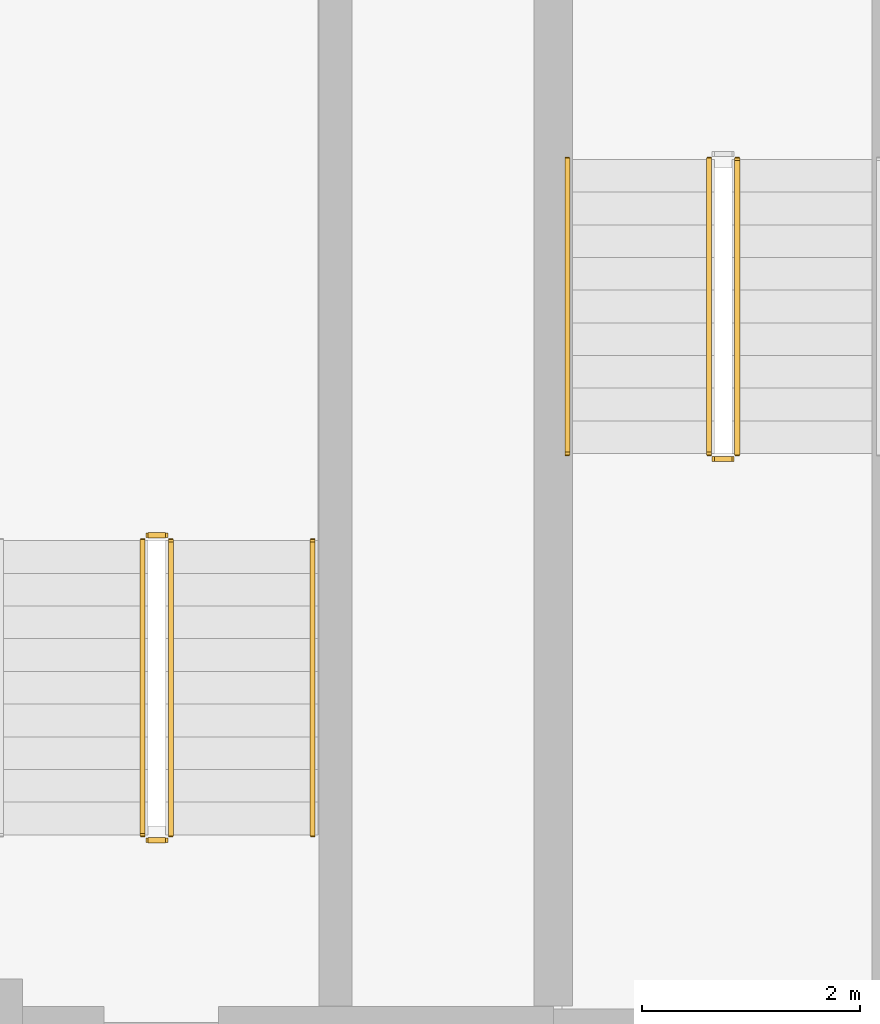
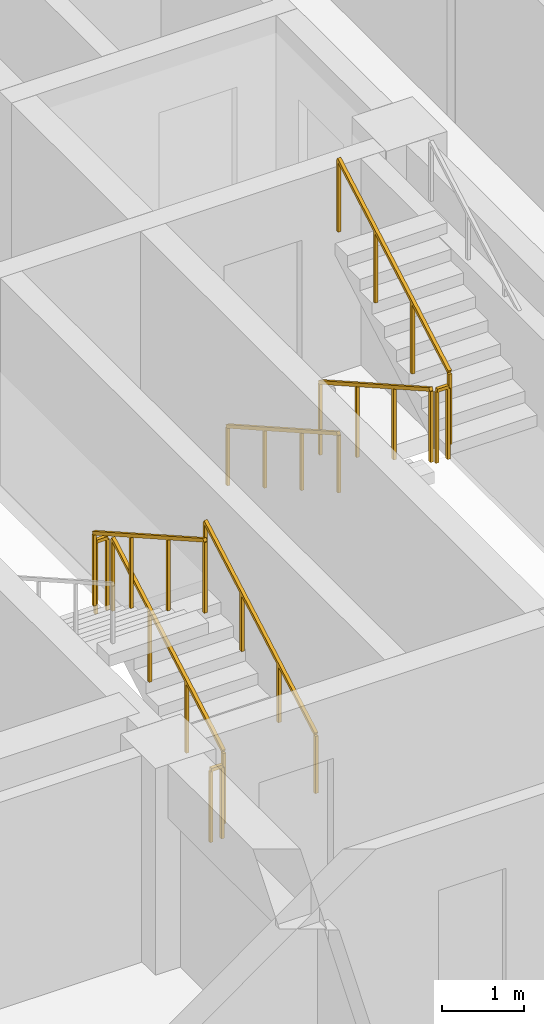
# One storey, part 9 of 14: 9 railings.
"""IFC4 building model written with IfcOpenShell, lengths in metres."""

from ifc_helpers import new_model, si_unit, direction, frame, origin, origin_2d, place, context, subcontext, project, spatial, rectangle, extrude, material, type_object, element, save


model = new_model("IFC4")

# Units and contexts
model_context = context("Model", 3, precision=1e-05, world=origin(), true_north=direction((0.0, 1.0)))
body_context = subcontext(model_context, "Body", "Model", "MODEL_VIEW")
ifc_project = project(units=[si_unit("LENGTHUNIT", "METRE"), si_unit("AREAUNIT", "SQUARE_METRE"), si_unit("VOLUMEUNIT", "CUBIC_METRE"), si_unit("PLANEANGLEUNIT", "RADIAN"), si_unit("MASSUNIT", "GRAM", prefix="KILO")], contexts=[model_context])

# Site, building, storey
site_placement = place(None, origin())
site = spatial("IfcSite", under=ifc_project, at=site_placement, CompositionType="ELEMENT")
building_placement = place(site_placement, origin())
building = spatial("IfcBuilding", under=site, at=building_placement, Name="Zulmaris Gate Convention Tower", CompositionType="ELEMENT")
storey_placement = place(building_placement, frame((0.0, 0.0, 208.4599609375)))
storey = spatial("IfcBuildingStorey", under=building, at=storey_placement, Name="L54", CompositionType="ELEMENT", Elevation=208.4599609375)

# Railings
ifc_material_1 = material(Name="Painted Galvanised Steel", Category="steel")
railing_type_1 = type_object("IfcRailingType", Name="RL-STG-1150", PredefinedType="GUARDRAIL", material=ifc_material_1)
railing_1_placement = place(storey_placement, frame((-13.27001953125, -2.0, 0.169921875)))
element("IfcRailing", 1, at=railing_1_placement, inside=storey, type_object=railing_type_1, Name="L54 ST-1 stair guard 1", PredefinedType="GUARDRAIL", context=body_context, shape_type="SweptSolid", body=[
    extrude(rectangle(XDim=0.048095703125, YDim=0.048095703125, at=origin_2d()), frame((0.0, 0.0, 1.076171875), z_axis=(0.0, -0.870014312096, 0.49302646658), x_axis=(1.0, 0.0, 0.0)), (0.0, 0.0, 1.0), 3.103271484375),
    extrude(rectangle(XDim=0.0419921875, YDim=0.0419921875, at=origin_2d()), origin(), (0.0, 0.0, 1.0), 1.052001953125),
    extrude(rectangle(XDim=0.0419921875, YDim=0.0419921875, at=origin_2d()), frame((0.0, -0.89990234375, 0.510009765625)), (0.0, 0.0, 1.0), 1.052001953125),
    extrude(rectangle(XDim=0.0419921875, YDim=0.0419921875, at=origin_2d()), frame((0.0, -1.800048828125, 1.02001953125)), (0.0, 0.0, 1.0), 1.052001953125),
    extrude(rectangle(XDim=0.0419921875, YDim=0.0419921875, at=origin_2d()), frame((0.0, -2.699951171875, 1.530029296875)), (0.0, 0.0, 1.0), 1.052001953125),
])
railing_2_placement = place(storey_placement, frame((-13.219970703125, -4.75, 1.699951171875)))
element("IfcRailing", 2, at=railing_2_placement, inside=storey, type_object=railing_type_1, Name="L54 ST-1 stair guard 2", PredefinedType="GUARDRAIL", context=body_context, shape_type="SweptSolid", body=[
    extrude(rectangle(XDim=0.048095703125, YDim=0.048095703125, at=origin_2d()), frame((0.0, 0.0, 1.076171875), z_axis=(1.0, 0.0, 0.0), x_axis=(0.0, 1.0, 0.0)), (0.0, 0.0, 1.0), 0.159912109375),
    extrude(rectangle(XDim=0.0419921875, YDim=0.0419921875, at=origin_2d()), origin(), (0.0, 0.0, 1.0), 1.052001953125),
    extrude(rectangle(XDim=0.0419921875, YDim=0.0419921875, at=origin_2d()), frame((0.159912109375, 0.0, 0.0)), (0.0, 0.0, 1.0), 1.052001953125),
])
for number, where, name in (
    (3, (-13.010009765625, -4.699951171875, 1.869873046875), "L54 ST-1 stair guard 3"),
    (4, (-18.2099609375, -8.199951171875, 0.169921875), "L54 ST-3 stair guard 1"),
):
    element("IfcRailing", number, at=place(storey_placement, frame(where)), inside=storey, type_object=railing_type_1, Name=name, PredefinedType="GUARDRAIL", context=body_context, shape_type="SweptSolid", body=[
        extrude(rectangle(XDim=0.048095703125, YDim=0.048095703125, at=origin_2d()), frame((0.0, 0.0, 1.076171875), z_axis=(0.0, 0.870014312096, 0.49302646658), x_axis=(-1.0, 0.0, 0.0)), (0.0, 0.0, 1.0), 3.103271484375),
        extrude(rectangle(XDim=0.0419921875, YDim=0.0419921875, at=origin_2d()), origin(), (0.0, 0.0, 1.0), 1.052001953125),
        extrude(rectangle(XDim=0.0419921875, YDim=0.0419921875, at=origin_2d()), frame((0.0, 0.89990234375, 0.510009765625)), (0.0, 0.0, 1.0), 1.052001953125),
        extrude(rectangle(XDim=0.0419921875, YDim=0.0419921875, at=origin_2d()), frame((0.0, 1.800048828125, 1.02001953125)), (0.0, 0.0, 1.0), 1.052001953125),
        extrude(rectangle(XDim=0.0419921875, YDim=0.0419921875, at=origin_2d()), frame((0.0, 2.699951171875, 1.530029296875)), (0.0, 0.0, 1.0), 1.052001953125),
    ])
railing_3_placement = place(storey_placement, frame((-18.260009765625, -5.449951171875, 1.699951171875)))
element("IfcRailing", 5, at=railing_3_placement, inside=storey, type_object=railing_type_1, Name="L54 ST-3 stair guard 2", PredefinedType="GUARDRAIL", context=body_context, shape_type="SweptSolid", body=[
    extrude(rectangle(XDim=0.048095703125, YDim=0.048095703125, at=origin_2d()), frame((0.0, 0.0, 1.076171875), z_axis=(-1.0, 0.0, 0.0), x_axis=(0.0, -1.0, 0.0)), (0.0, 0.0, 1.0), 0.159912109375),
    extrude(rectangle(XDim=0.0419921875, YDim=0.0419921875, at=origin_2d()), origin(), (0.0, 0.0, 1.0), 1.052001953125),
    extrude(rectangle(XDim=0.0419921875, YDim=0.0419921875, at=origin_2d()), frame((-0.159912109375, 0.0, 0.0)), (0.0, 0.0, 1.0), 1.052001953125),
])
railing_4_placement = place(storey_placement, frame((-18.469970703125, -5.5, 1.869873046875)))
element("IfcRailing", 6, at=railing_4_placement, inside=storey, type_object=railing_type_1, Name="L54 ST-3 stair guard 3", PredefinedType="GUARDRAIL", context=body_context, shape_type="SweptSolid", body=[
    extrude(rectangle(XDim=0.048095703125, YDim=0.048095703125, at=origin_2d()), frame((0.0, 0.0, 1.076171875), z_axis=(0.0, -0.870014312096, 0.49302646658), x_axis=(1.0, 0.0, 0.0)), (0.0, 0.0, 1.0), 3.103271484375),
    extrude(rectangle(XDim=0.0419921875, YDim=0.0419921875, at=origin_2d()), origin(), (0.0, 0.0, 1.0), 1.052001953125),
    extrude(rectangle(XDim=0.0419921875, YDim=0.0419921875, at=origin_2d()), frame((0.0, -0.89990234375, 0.510009765625)), (0.0, 0.0, 1.0), 1.052001953125),
    extrude(rectangle(XDim=0.0419921875, YDim=0.0419921875, at=origin_2d()), frame((0.0, -1.800048828125, 1.02001953125)), (0.0, 0.0, 1.0), 1.052001953125),
    extrude(rectangle(XDim=0.0419921875, YDim=0.0419921875, at=origin_2d()), frame((0.0, -2.699951171875, 1.530029296875)), (0.0, 0.0, 1.0), 1.052001953125),
])
railing_5_placement = place(storey_placement, frame((-18.260009765625, -8.25, 0.0)))
element("IfcRailing", 7, at=railing_5_placement, inside=storey, type_object=railing_type_1, Name="L54 ST-3 stair guard 4", PredefinedType="GUARDRAIL", context=body_context, shape_type="SweptSolid", body=[
    extrude(rectangle(XDim=0.048095703125, YDim=0.048095703125, at=origin_2d()), frame((0.0, 0.0, 1.076171875), z_axis=(-1.0, 0.0, 0.0), x_axis=(0.0, -1.0, 0.0)), (0.0, 0.0, 1.0), 0.159912109375),
    extrude(rectangle(XDim=0.0419921875, YDim=0.0419921875, at=origin_2d()), origin(), (0.0, 0.0, 1.0), 1.052001953125),
    extrude(rectangle(XDim=0.0419921875, YDim=0.0419921875, at=origin_2d()), frame((-0.159912109375, 0.0, 0.0)), (0.0, 0.0, 1.0), 1.052001953125),
])
ifc_material_2 = material(Name="Brushed Stainless Steel", Category="steel")
railing_type_2 = type_object("IfcRailingType", Name="RL-STH-900", PredefinedType="HANDRAIL", material=ifc_material_2)
railing_6_placement = place(storey_placement, frame((-14.570068359375, -2.0, 0.169921875)))
element("IfcRailing", 8, at=railing_6_placement, inside=storey, type_object=railing_type_2, Name="L54 ST-1 stair handrail 1", PredefinedType="HANDRAIL", context=body_context, shape_type="SweptSolid", body=[
    extrude(rectangle(XDim=0.048095703125, YDim=0.048095703125, at=origin_2d()), frame((0.0, 0.0, 0.8759765625), z_axis=(0.0, -0.870014312096, 0.49302646658), x_axis=(1.0, 0.0, 0.0)), (0.0, 0.0, 1.0), 3.103271484375),
    extrude(rectangle(XDim=0.0419921875, YDim=0.0419921875, at=origin_2d()), origin(), (0.0, 0.0, 1.0), 0.851806640625),
    extrude(rectangle(XDim=0.0419921875, YDim=0.0419921875, at=origin_2d()), frame((0.0, -0.89990234375, 0.510009765625)), (0.0, 0.0, 1.0), 0.851806640625),
    extrude(rectangle(XDim=0.0419921875, YDim=0.0419921875, at=origin_2d()), frame((0.0, -1.800048828125, 1.02001953125)), (0.0, 0.0, 1.0), 0.851806640625),
    extrude(rectangle(XDim=0.0419921875, YDim=0.0419921875, at=origin_2d()), frame((0.0, -2.699951171875, 1.530029296875)), (0.0, 0.0, 1.0), 0.851806640625),
])
railing_7_placement = place(storey_placement, frame((-16.909912109375, -8.199951171875, 0.169921875)))
element("IfcRailing", 9, at=railing_7_placement, inside=storey, type_object=railing_type_2, Name="L54 ST-3 stair handrail 1", PredefinedType="HANDRAIL", context=body_context, shape_type="SweptSolid", body=[
    extrude(rectangle(XDim=0.048095703125, YDim=0.048095703125, at=origin_2d()), frame((0.0, 0.0, 0.8759765625), z_axis=(0.0, 0.870014312096, 0.49302646658), x_axis=(-1.0, 0.0, 0.0)), (0.0, 0.0, 1.0), 3.103271484375),
    extrude(rectangle(XDim=0.0419921875, YDim=0.0419921875, at=origin_2d()), origin(), (0.0, 0.0, 1.0), 0.851806640625),
    extrude(rectangle(XDim=0.0419921875, YDim=0.0419921875, at=origin_2d()), frame((0.0, 0.89990234375, 0.510009765625)), (0.0, 0.0, 1.0), 0.851806640625),
    extrude(rectangle(XDim=0.0419921875, YDim=0.0419921875, at=origin_2d()), frame((0.0, 1.800048828125, 1.02001953125)), (0.0, 0.0, 1.0), 0.851806640625),
    extrude(rectangle(XDim=0.0419921875, YDim=0.0419921875, at=origin_2d()), frame((0.0, 2.699951171875, 1.530029296875)), (0.0, 0.0, 1.0), 0.851806640625),
])

save(model, "model.ifc")
